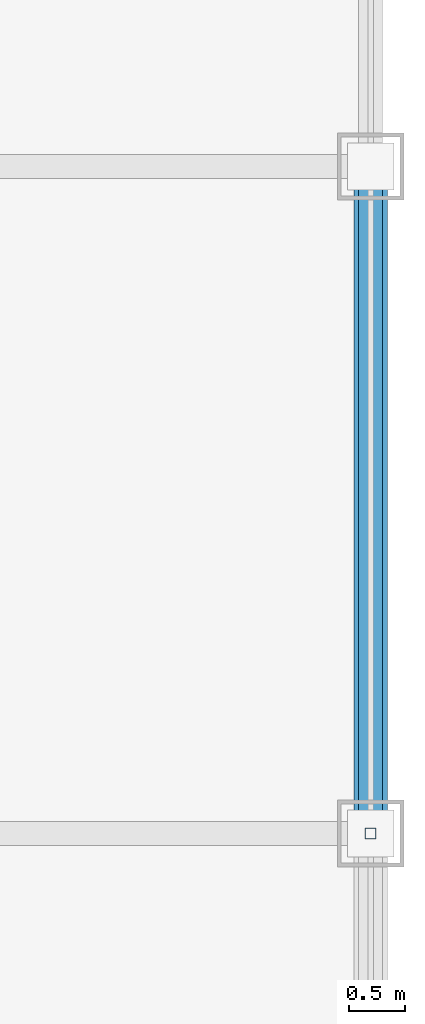
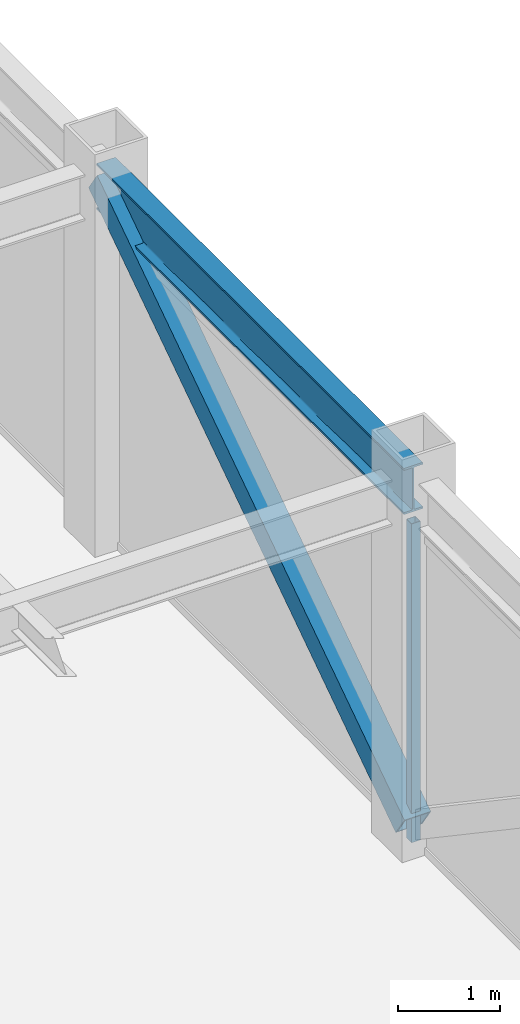
# One storey, part 12 of 27: 2 members, 1 beam, 1 element without a shape of its own.
"""IFC4 building model written with IfcOpenShell, lengths in metres."""

from ifc_helpers import new_model, si_unit, direction, frame, origin, origin_2d, place, context, subcontext, project, spatial, hollow_rectangle, i_section, extrude, source, transform, mapped, material, material_profile, profile_set, type_object, element, aggregate, save


model = new_model("IFC4")

# Units and contexts
model_context = context("Model", 3, precision=1e-05, world=origin(), true_north=direction((0.0, 1.0)))
body_context = subcontext(model_context, "Body", "Model", "MODEL_VIEW")
ifc_project = project(units=[si_unit("LENGTHUNIT", "METRE"), si_unit("AREAUNIT", "SQUARE_METRE"), si_unit("VOLUMEUNIT", "CUBIC_METRE"), si_unit("PLANEANGLEUNIT", "RADIAN"), si_unit("MASSUNIT", "GRAM", prefix="KILO")], contexts=[model_context])

# Site, building, storey
site_placement = place(None, origin())
site = spatial("IfcSite", under=ifc_project, at=site_placement, CompositionType="ELEMENT")
building_placement = place(site_placement, origin())
building = spatial("IfcBuilding", under=site, at=building_placement, Name="Khorayat Bourse Tower", CompositionType="ELEMENT")
storey_placement = place(building_placement, frame((0.0, 0.0, 389.89990234375)))
storey = spatial("IfcBuildingStorey", under=building, at=storey_placement, Name="L92", CompositionType="ELEMENT", Elevation=389.89990234375)

# Beam
ifc_material_1 = material(Name="Steel ASTM A992 Grade 50", Category="steel")
ifc_material_profile_1 = material_profile(ifc_material_1, i_section(OverallWidth=0.214111328125, OverallDepth=0.549072265625, WebThickness=0.0146484375, FlangeThickness=0.023681640625, FilletRadius=0.013916015625, at=origin_2d()), Name="W530X138")
ifc_profile_set_1 = profile_set([ifc_material_profile_1], Name="Steel ASTM A992 Grade 50")
beam_type = type_object("IfcBeamType", Name="BM-SPAN-530", PredefinedType="SPANDREL", material=ifc_profile_set_1)
shared_shape_1 = source(origin(), body_context, "Body", "SweptSolid", [
    extrude(i_section(OverallWidth=0.214111328125, OverallDepth=0.549072265625, WebThickness=0.0146484375, FlangeThickness=0.023681640625, FilletRadius=0.013916015625, at=origin_2d()), origin(), (0.0, 0.0, 1.0), 6.0),
])
beam_placement = place(storey_placement, frame((24.0, 0.0, 4.175537109375), z_axis=(0.0, 1.0, 0.0), x_axis=(-1.0, 0.0, 0.0)))
element("IfcBeam", 1, at=beam_placement, inside=storey, type_object=beam_type, Name="L92 BM-SPAN-530 BM-L92-SPN-035", PredefinedType="SPANDREL", context=body_context, shape_type="MappedRepresentation", body=[
    mapped(shared_shape_1, transform((0.0, 0.0, 0.0), scale=1.0)),
])

# Member
ifc_material_2 = material(Name="Steel EN 10025-2 S355J2", Category="steel")
ifc_material_profile_2 = material_profile(ifc_material_2, hollow_rectangle(XDim=0.300048828125, YDim=0.300048828125, WallThickness=0.01611328125, at=origin_2d()), Name="HSS 300x300x16")
ifc_profile_set_2 = profile_set([ifc_material_profile_2], Name="Steel EN 10025-2 S355J2")
member_type_1 = type_object("IfcMemberType", Name="MBR-CROWN-300", PredefinedType="USERDEFINED", material=ifc_profile_set_2)
shared_shape_2 = source(origin(), body_context, "Body", "SweptSolid", [
    extrude(hollow_rectangle(XDim=0.300048828125, YDim=0.300048828125, WallThickness=0.01611328125, at=origin_2d()), origin(), (0.0, 0.0, 1.0), 7.23876953125),
])
member_1_placement = place(storey_placement, frame((24.0, 0.0, 0.2001953125), z_axis=(0.0, 0.828861185526, 0.559454319072), x_axis=(-1.0, 0.0, 0.0)))
element("IfcMember", 2, at=member_1_placement, inside=storey, type_object=member_type_1, Name="L92 Lantern Crown Frame Member 15", ObjectType="CROWN FRAME", PredefinedType="USERDEFINED", context=body_context, shape_type="MappedRepresentation", body=[
    mapped(shared_shape_2, transform((0.0, 0.0, 0.0), scale=1.0)),
])

# Curtain wall, member
ifc_material_3 = material(Name="Aluminium EN AW-6063 T6", Category="aluminium")
curtain_wall_type = type_object("IfcCurtainWallType", Name="CW-SYS-07", PredefinedType="NOTDEFINED", material=ifc_material_3)
curtain_wall_placement = place(storey_placement, origin())
curtain_wall = element("IfcCurtainWall", 3, at=curtain_wall_placement, inside=storey, type_object=curtain_wall_type, Name="L92 Curtain Wall CW-L92-E1", PredefinedType="NOTDEFINED")
ifc_material_profile_3 = material_profile(ifc_material_3, hollow_rectangle(XDim=0.10009765625, YDim=0.10009765625, WallThickness=0.0048828125, at=origin_2d()), Name="ALU 100x100x5")
ifc_profile_set_3 = profile_set([ifc_material_profile_3], Name="Aluminium EN AW-6063 T6")
member_type_2 = type_object("IfcMemberType", Name="CWM-LANTERN-100", PredefinedType="MULLION", material=ifc_profile_set_3)
shared_shape_3 = source(origin(), body_context, "Body", "SweptSolid", [
    extrude(hollow_rectangle(XDim=0.10009765625, YDim=0.10009765625, WallThickness=0.0048828125, at=origin_2d()), origin(), (0.0, 0.0, 1.0), 3.800048828125),
])
member_2_placement = place(storey_placement, frame((24.0, 0.0, 0.0), z_axis=(0.0, 0.0, 1.0), x_axis=(-1.0, 0.0, 0.0)))
member_2 = element("IfcMember", 4, at=member_2_placement, type_object=member_type_2, Name="CW-L92-E1 Vertical Mullion 2", PredefinedType="MULLION", context=body_context, shape_type="MappedRepresentation", body=[
    mapped(shared_shape_3, transform((0.0, 0.0, 0.0), scale=1.0)),
])
aggregate(curtain_wall, [member_2])

save(model, "model.ifc")
